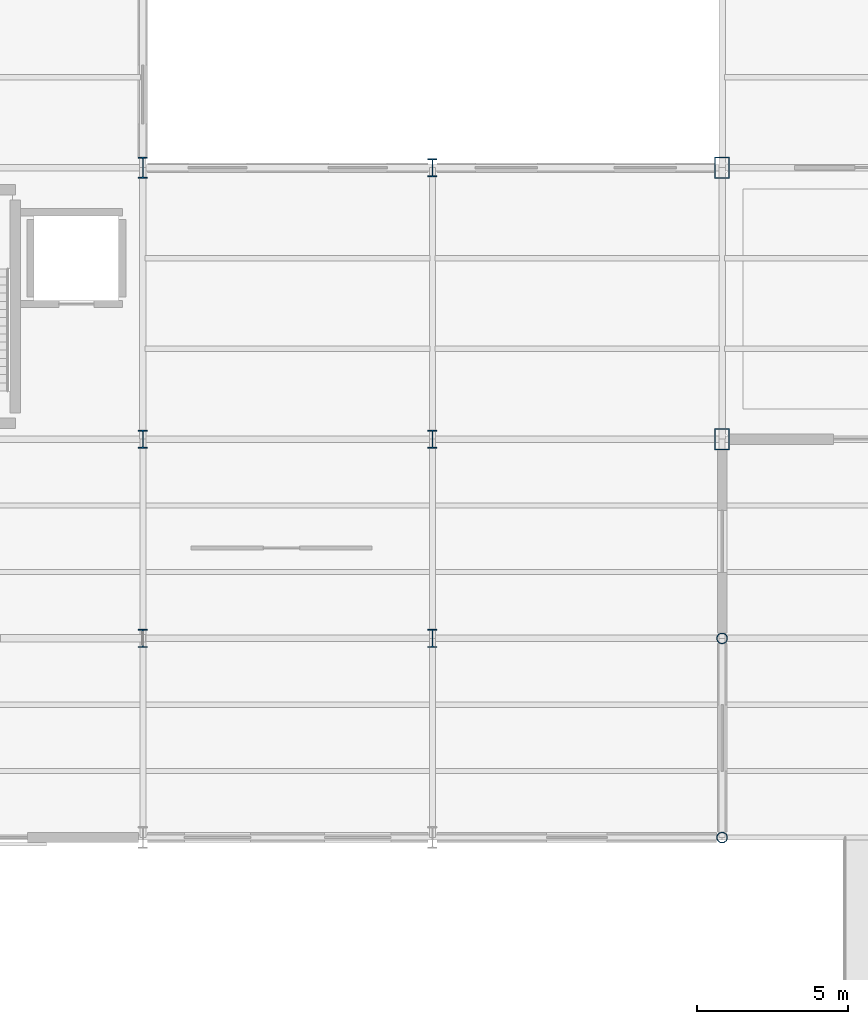
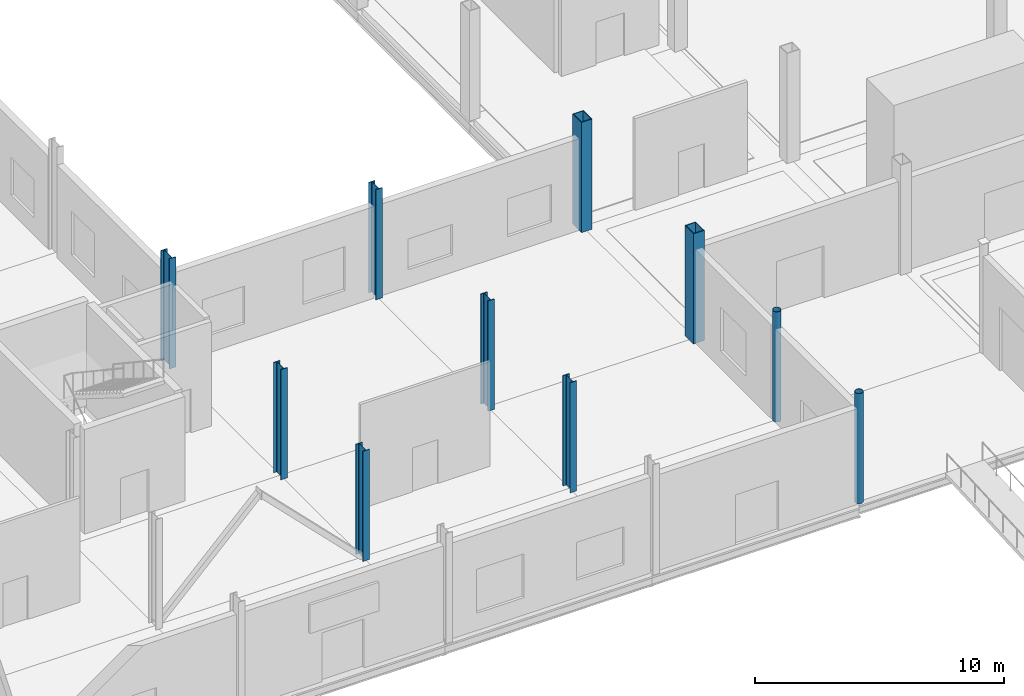
# One storey, part 2 of 85: 10 columns.
"""IFC4 building model written with IfcOpenShell, lengths in metres."""

from ifc_helpers import new_model, si_unit, direction, frame, origin, origin_2d, place, context, subcontext, project, spatial, hollow_rectangle, hollow_circle, i_section, extrude, material, material_profile, profile_set, type_object, element, save


model = new_model("IFC4")

# Units and contexts
model_context = context("Model", 3, precision=1e-05, world=origin(), true_north=direction((0.0, 1.0)))
body_context = subcontext(model_context, "Body", "Model", "MODEL_VIEW")
ifc_project = project(units=[si_unit("LENGTHUNIT", "METRE"), si_unit("AREAUNIT", "SQUARE_METRE"), si_unit("VOLUMEUNIT", "CUBIC_METRE"), si_unit("PLANEANGLEUNIT", "RADIAN"), si_unit("MASSUNIT", "GRAM", prefix="KILO")], contexts=[model_context])

# Site, building, storey
site_placement = place(None, origin())
site = spatial("IfcSite", under=ifc_project, at=site_placement, CompositionType="ELEMENT")
building_placement = place(site_placement, origin())
building = spatial("IfcBuilding", under=site, at=building_placement, Name="Zarnetskaya Central Station", CompositionType="ELEMENT")
storey_placement = place(building_placement, origin())
storey = spatial("IfcBuildingStorey", under=building, at=storey_placement, Name="L00", CompositionType="ELEMENT", Elevation=0.0)

# Columns
ifc_material = material(Name="Steel S355", Category="steel")
ifc_material_profile_1 = material_profile(ifc_material, hollow_rectangle(XDim=0.5, YDim=0.699951171875, WallThickness=0.031982421875, at=origin_2d()), Name="BOX 700x500x32")
ifc_profile_set_1 = profile_set([ifc_material_profile_1], Name="Steel S355")
column_type_1 = type_object("IfcColumnType", Name="COL-V2-HALL", PredefinedType="COLUMN", material=ifc_profile_set_1)
for number, where, z_axis, x_axis, name in (
    (1, (57.60009765625, 13.199951171875, 0.0), (0.0, 0.0, 1.0), (1.0, 0.0, 0.0), "Column G3 L00"),
    (2, (57.60009765625, 22.199951171875, 0.0), (0.0, 0.0, 1.0), (1.0, 0.0, 0.0), "Column G4 L00"),
):
    element("IfcColumn", number, at=place(storey_placement, frame(where, z_axis=z_axis, x_axis=x_axis)), inside=storey, type_object=column_type_1, Name=name, PredefinedType="COLUMN", context=body_context, shape_type="SweptSolid", body=[
        extrude(hollow_rectangle(XDim=0.5, YDim=0.699951171875, WallThickness=0.031982421875, at=origin_2d()), origin(), (0.0, 0.0, 1.0), 5.39990234375),
    ])
ifc_material_profile_2 = material_profile(ifc_material, hollow_circle(Radius=0.177734375, WallThickness=0.01611328125, at=origin_2d()), Name="CHS 355.6x16")
ifc_profile_set_2 = profile_set([ifc_material_profile_2], Name="Steel S355")
column_type_2 = type_object("IfcColumnType", Name="COL-V3-FCAN", PredefinedType="COLUMN", material=ifc_profile_set_2)
for number, where, z_axis, x_axis, name in (
    (3, (57.60009765625, 0.0, 0.0), (0.0, 0.0, 1.0), (1.0, 0.0, 0.0), "Column G1 L00"),
    (4, (57.60009765625, 6.60009765625, 0.0), (0.0, 0.0, 1.0), (1.0, 0.0, 0.0), "Column G2 L00"),
):
    element("IfcColumn", number, at=place(storey_placement, frame(where, z_axis=z_axis, x_axis=x_axis)), inside=storey, type_object=column_type_2, Name=name, PredefinedType="COLUMN", context=body_context, shape_type="SweptSolid", body=[
        extrude(hollow_circle(Radius=0.177734375, WallThickness=0.01611328125, at=origin_2d()), origin(), (0.0, 0.0, 1.0), 5.39990234375),
    ])
ifc_material_profile_3 = material_profile(ifc_material, i_section(OverallWidth=0.300048828125, OverallDepth=0.699951171875, WebThickness=0.01708984375, FlangeThickness=0.031982421875, FilletRadius=0.027099609375, at=origin_2d()), Name="HEB 700")
ifc_profile_set_3 = profile_set([ifc_material_profile_3], Name="Steel S355")
column_type_3 = type_object("IfcColumnType", Name="COL-V5-LOW-E", PredefinedType="COLUMN", material=ifc_profile_set_3)
column_placement = place(storey_placement, frame((38.39990234375, 22.199951171875, 0.0), z_axis=(0.0, 0.0, 1.0), x_axis=(1.0, 0.0, 0.0)))
element("IfcColumn", 5, at=column_placement, inside=storey, type_object=column_type_3, Name="Column E4 L00", PredefinedType="COLUMN", context=body_context, shape_type="SweptSolid", body=[
    extrude(i_section(OverallWidth=0.300048828125, OverallDepth=0.699951171875, WebThickness=0.01708984375, FlangeThickness=0.031982421875, FilletRadius=0.027099609375, at=origin_2d()), origin(), (0.0, 0.0, 1.0), 5.39990234375),
])
ifc_material_profile_4 = material_profile(ifc_material, i_section(OverallWidth=0.300048828125, OverallDepth=0.60009765625, WebThickness=0.015380859375, FlangeThickness=0.030029296875, FilletRadius=0.027099609375, at=origin_2d()), Name="HEB 600")
ifc_profile_set_4 = profile_set([ifc_material_profile_4], Name="Steel S355")
column_type_4 = type_object("IfcColumnType", Name="COL-V5-LOW-I", PredefinedType="COLUMN", material=ifc_profile_set_4)
for number, where, z_axis, x_axis, name in (
    (6, (38.39990234375, 6.60009765625, 0.0), (0.0, 0.0, 1.0), (1.0, 0.0, 0.0), "Column E2 L00"),
    (7, (38.39990234375, 13.199951171875, 0.0), (0.0, 0.0, 1.0), (1.0, 0.0, 0.0), "Column E3 L00"),
    (8, (48.0, 6.60009765625, 0.0), (0.0, 0.0, 1.0), (1.0, 0.0, 0.0), "Column F2 L00"),
    (9, (48.0, 13.199951171875, 0.0), (0.0, 0.0, 1.0), (1.0, 0.0, 0.0), "Column F3 L00"),
    (10, (48.0, 22.199951171875, 0.0), (0.0, 0.0, 1.0), (1.0, 0.0, 0.0), "Column F4 L00"),
):
    element("IfcColumn", number, at=place(storey_placement, frame(where, z_axis=z_axis, x_axis=x_axis)), inside=storey, type_object=column_type_4, Name=name, PredefinedType="COLUMN", context=body_context, shape_type="SweptSolid", body=[
        extrude(i_section(OverallWidth=0.300048828125, OverallDepth=0.60009765625, WebThickness=0.015380859375, FlangeThickness=0.030029296875, FilletRadius=0.027099609375, at=origin_2d()), origin(), (0.0, 0.0, 1.0), 5.39990234375),
    ])

save(model, "model.ifc")
